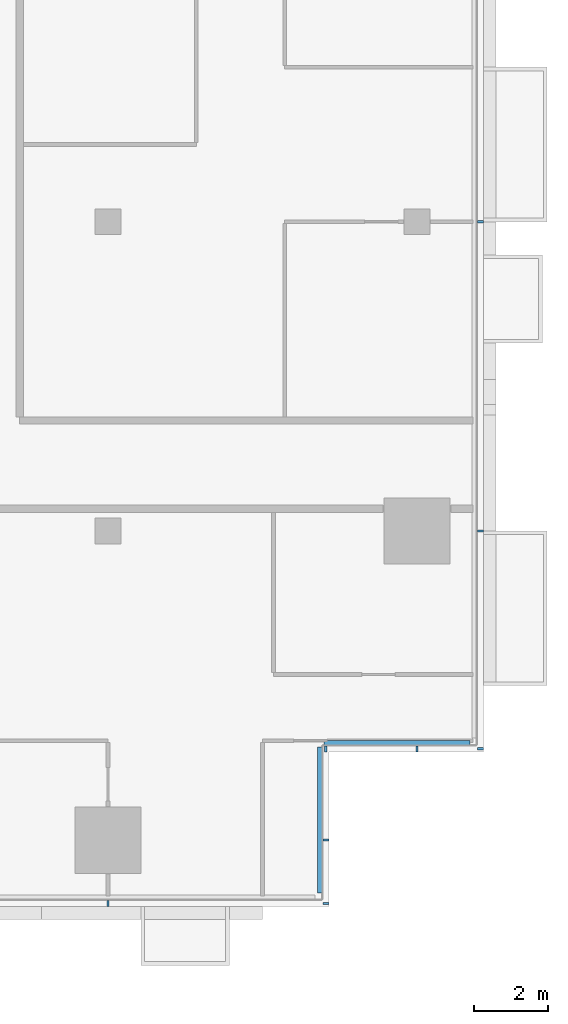
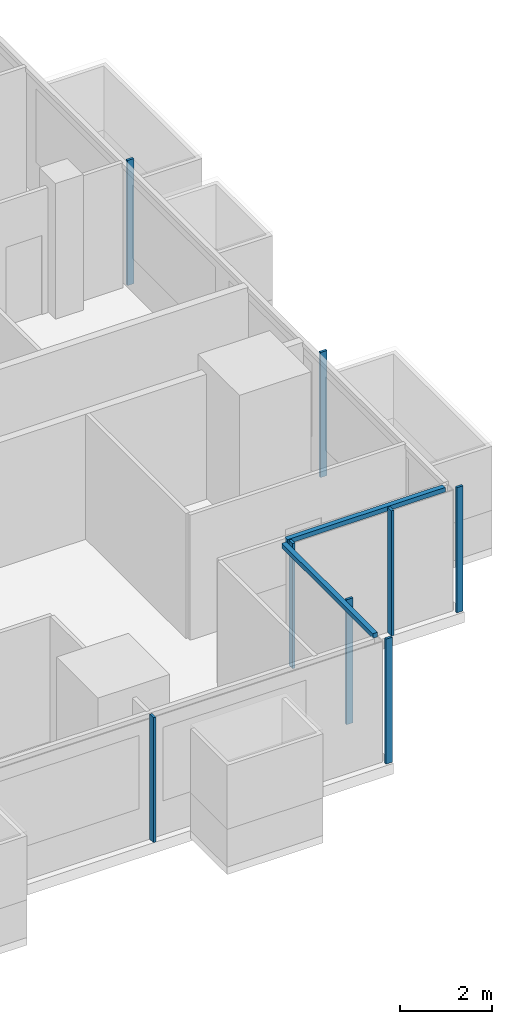
# One storey, part 11 of 31: 10 members, 4 elements without a shape of their own.
"""IFC4 building model written with IfcOpenShell, lengths in metres."""

import ifcopenshell
import ifcopenshell.guid

model = None  # the IFC model being written
_history = None  # IfcOwnerHistory: only IFC2X3 demands one
_inside = {}  # id of a spatial element -> (the spatial element, [elements in it])
_under = {}  # id of a project, library or spatial element -> (it, [spatial elements below it])
_declared = {}  # id of a project -> (the project, [libraries it declares])
_typed = {}  # id of a type object -> (the type object, [elements of that type])
_made_of = {}  # id of a material, layer set ... -> (it, [elements and type objects made of it])


def new_model(schema):
    """Start an empty IFC model of exactly this schema.

    Asked for "IFC4X3", IfcOpenShell would pick the latest addendum, in which some entities
    have other attributes; the version numbers below select the first issue.
    IFC2X3 requires an IfcOwnerHistory on every rooted entity: one is made here for all.
    """
    global model, _history
    if schema == "IFC4X3":
        model = ifcopenshell.file(schema_version=(4, 3, 0, 0))
    else:
        model = ifcopenshell.file(schema=schema)
    _inside.clear()
    _under.clear()
    _declared.clear()
    _typed.clear()
    _made_of.clear()
    _history = None
    if model.schema == "IFC2X3":
        org = make("IfcOrganization", Name="unknown")
        user = make(
            "IfcPersonAndOrganization",
            ThePerson=make("IfcPerson", FamilyName="unknown"),
            TheOrganization=org,
        )
        app = make(
            "IfcApplication",
            ApplicationDeveloper=org,
            Version="unknown",
            ApplicationFullName="unknown",
            ApplicationIdentifier="unknown",
        )
        _history = make(
            "IfcOwnerHistory",
            OwningUser=user,
            OwningApplication=app,
            ChangeAction="ADDED",
            CreationDate=0,
        )
    return model


def make(cls, **values):
    """One entity of the class cls with the attributes given. An attribute that is None is left unset."""
    return model.create_entity(
        cls, **{name: value for name, value in values.items() if value is not None}
    )


def rooted(cls, **values):
    """An entity with a GlobalId (a new one), such as an element, a storey or a relation."""
    return make(cls, GlobalId=ifcopenshell.guid.new(), OwnerHistory=_history, **values)


def si_unit(unit_type, name, prefix=None):
    """IfcSIUnit, for example si_unit("LENGTHUNIT", "METRE", prefix="MILLI")."""
    return make("IfcSIUnit", UnitType=unit_type, Prefix=prefix, Name=name)


def assignment(units):
    """IfcUnitAssignment: the units of a project."""
    return None if units is None else make("IfcUnitAssignment", Units=units)


def point(xyz):
    """IfcCartesianPoint."""
    return None if xyz is None else make("IfcCartesianPoint", Coordinates=xyz)


def direction(xyz):
    """IfcDirection."""
    return None if xyz is None else make("IfcDirection", DirectionRatios=xyz)


def frame(location, z_axis=None, x_axis=None):
    """IfcAxis2Placement3D, a coordinate frame: its origin and axes. An axis left out is left unset."""
    return make(
        "IfcAxis2Placement3D",
        Location=point(location),
        Axis=direction(z_axis),
        RefDirection=direction(x_axis),
    )


def frame_2d(location, x_axis=None):
    """IfcAxis2Placement2D, a coordinate frame in the plane: its origin and x axis."""
    return make(
        "IfcAxis2Placement2D", Location=point(location), RefDirection=direction(x_axis)
    )


def origin():
    """The frame at (0, 0, 0) with its axes left unset."""
    return frame((0.0, 0.0, 0.0))


def origin_2d():
    """The frame at (0, 0) in the plane with its x axis left unset."""
    return frame_2d((0.0, 0.0))


def place(relative_to, where):
    """IfcLocalPlacement: puts the frame where relative to a parent placement (None: the world)."""
    return make(
        "IfcLocalPlacement", PlacementRelTo=relative_to, RelativePlacement=where
    )


def context(
    kind, dimensions, precision=None, world=None, true_north=None, identifier=None
):
    """IfcGeometricRepresentationContext, for example the 3D "Model" context."""
    return make(
        "IfcGeometricRepresentationContext",
        ContextIdentifier=identifier,
        ContextType=kind,
        CoordinateSpaceDimension=dimensions,
        Precision=precision,
        WorldCoordinateSystem=world,
        TrueNorth=true_north,
    )


def subcontext(parent, identifier, kind, view, scale=None):
    """IfcGeometricRepresentationSubContext, for example "Body" below "Model"."""
    return make(
        "IfcGeometricRepresentationSubContext",
        ContextIdentifier=identifier,
        ContextType=kind,
        ParentContext=parent,
        TargetScale=scale,
        TargetView=view,
    )


def project(units=None, contexts=None):
    """IfcProject with its units and contexts."""
    return rooted(
        "IfcProject",
        Name="project",
        RepresentationContexts=contexts,
        UnitsInContext=assignment(units),
    )


def spatial(cls, under=None, at=None, **own):
    """A site, building, storey or space (cls), placed at a placement, below another one or the project."""
    s = rooted(cls, ObjectPlacement=at, **own)
    if under is not None:
        _under.setdefault(under.id(), (under, []))[1].append(s)
    return s


def profile(cls, at=None, kind="AREA", **sizes):
    """A parametric profile (cls). Its sizes go by their IFC names, for example OverallWidth=200.0."""
    return make(cls, ProfileType=kind, Position=at, **sizes)


def rectangle(**sizes):
    """IfcRectangleProfileDef."""
    return profile("IfcRectangleProfileDef", **sizes)


def extrude(swept, where, along, depth):
    """IfcExtrudedAreaSolid: the profile swept, set in the frame where, extruded along a direction by depth."""
    return make(
        "IfcExtrudedAreaSolid",
        SweptArea=swept,
        Position=where,
        ExtrudedDirection=direction(along),
        Depth=depth,
    )


def shape(context_of_items, identifier, shape_type, items):
    """IfcShapeRepresentation: the items that make up one representation, for example the "Body"."""
    return make(
        "IfcShapeRepresentation",
        ContextOfItems=context_of_items,
        RepresentationIdentifier=identifier,
        RepresentationType=shape_type,
        Items=items,
    )


def material(Name=None, Category=None):
    """IfcMaterial."""
    return make("IfcMaterial", Name=Name, Category=Category)


def material_profile(
    of_material, cross_section, Name=None, Category=None, Priority=None
):
    """IfcMaterialProfile: a cross section and its material."""
    return make(
        "IfcMaterialProfile",
        Name=Name,
        Material=of_material,
        Profile=cross_section,
        Priority=Priority,
        Category=Category,
    )


def profile_set(profiles, Name=None, composite=None):
    """IfcMaterialProfileSet."""
    return make(
        "IfcMaterialProfileSet",
        Name=Name,
        MaterialProfiles=profiles,
        CompositeProfile=composite,
    )


def made_of(thing, what):
    """Note that an element or type object is made of a material, layer set ...; save() writes the relation."""
    if what is not None:
        _made_of.setdefault(what.id(), (what, []))[1].append(thing)
    return thing


def type_object(cls, material=None, **own):
    """A type object (cls), such as IfcWallType, which elements share."""
    return made_of(rooted(cls, **own), material)


def element(
    cls,
    number,
    at=None,
    inside=None,
    cuts=None,
    type_object=None,
    material=None,
    context=None,
    identifier="Body",
    shape_type=None,
    held_by="IfcProductDefinitionShape",
    body=None,
    shapes=None,
    **own,
):
    """One element of the class cls, such as IfcWall. Its Tag is "e" and its number.

    at: its placement. inside: the storey or other place that contains it. cuts: it is an
    opening in that element (IfcRelVoidsElement). A single representation is given by context,
    identifier, shape_type and body (its items); several are given by shapes. held_by: the class
    of the entity that holds the representations. save() writes the other relations.
    """
    e = rooted(cls, Tag="e%d" % number, ObjectPlacement=at, **own)
    if body is not None:
        shapes = [shape(context, identifier, shape_type, body)]
    if shapes is not None:
        e.Representation = make(held_by, Representations=shapes)
    if inside is not None:
        _inside.setdefault(inside.id(), (inside, []))[1].append(e)
    if cuts is not None:
        rooted(
            "IfcRelVoidsElement", RelatingBuildingElement=cuts, RelatedOpeningElement=e
        )
    if type_object is not None:
        _typed.setdefault(type_object.id(), (type_object, []))[1].append(e)
    return made_of(e, material)


def aggregate(whole, parts):
    """IfcRelAggregates: a whole, such as a stair, and the parts it consists of."""
    return rooted("IfcRelAggregates", RelatingObject=whole, RelatedObjects=parts)


def save(model, path):
    """Write the relations noted so far, then the file.

    IfcRelAggregates (storeys below a building ...), IfcRelContainedInSpatialStructure (elements
    in a storey), IfcRelDefinesByType, IfcRelAssociatesMaterial and IfcRelDeclares: one each for
    every whole, place, type object, material and project.
    """
    for whole, parts in _under.values():
        aggregate(whole, parts)
    for where, things in _inside.values():
        rooted(
            "IfcRelContainedInSpatialStructure",
            RelatedElements=things,
            RelatingStructure=where,
        )
    for kind, things in _typed.values():
        rooted("IfcRelDefinesByType", RelatedObjects=things, RelatingType=kind)
    for what, things in _made_of.values():
        rooted("IfcRelAssociatesMaterial", RelatedObjects=things, RelatingMaterial=what)
    for by, libraries in _declared.values():
        rooted("IfcRelDeclares", RelatingContext=by, RelatedDefinitions=libraries)
    model.write(path)


model = new_model("IFC4")

# Units and contexts
model_context = context("Model", 3, precision=1e-05, world=origin(), true_north=direction((0.0, 1.0)))
body_context = subcontext(model_context, "Body", "Model", "MODEL_VIEW")
ifc_project = project(units=[si_unit("LENGTHUNIT", "METRE"), si_unit("AREAUNIT", "SQUARE_METRE"), si_unit("VOLUMEUNIT", "CUBIC_METRE"), si_unit("PLANEANGLEUNIT", "RADIAN"), si_unit("MASSUNIT", "GRAM", prefix="KILO")], contexts=[model_context])

# Site, building, storey
site_placement = place(None, origin())
site = spatial("IfcSite", under=ifc_project, at=site_placement, CompositionType="ELEMENT")
building_placement = place(site_placement, origin())
building = spatial("IfcBuilding", under=site, at=building_placement, Name="Saffron Gate Tower", CompositionType="ELEMENT")
storey_placement = place(building_placement, frame((0.0, 0.0, 147.449951171875)))
storey = spatial("IfcBuildingStorey", under=building, at=storey_placement, Name="L35", CompositionType="ELEMENT", Elevation=147.449951171875)

# Curtain wall, member
ifc_material = material(Name="Aluminium, bronze anodised", Category="aluminium")
curtain_wall_type_1 = type_object("IfcCurtainWallType", Name="CWS1 curtain wall front facade", PredefinedType="NOTDEFINED", material=ifc_material)
curtain_wall_1_placement = place(storey_placement, origin())
curtain_wall_1 = element("IfcCurtainWall", 1, at=curtain_wall_1_placement, inside=storey, type_object=curtain_wall_type_1, Name="CWS1 run 1", PredefinedType="NOTDEFINED")
ifc_material_profile_1 = material_profile(ifc_material, rectangle(XDim=0.159912109375, YDim=0.06005859375, at=origin_2d()))
ifc_profile_set_1 = profile_set([ifc_material_profile_1], Name="Aluminium, bronze anodised")
member_type_1 = type_object("IfcMemberType", Name="CWS1 mullion 60x160", PredefinedType="MULLION", material=ifc_profile_set_1)
member_1_placement = place(storey_placement, frame((117.0, 30.080078125, 0.0), z_axis=(0.0, 0.0, 1.0), x_axis=(0.0, 1.0, 0.0)))
member_1 = element("IfcMember", 2, at=member_1_placement, type_object=member_type_1, Name="CWS1 mullion 9", PredefinedType="MULLION", context=body_context, shape_type="SweptSolid", body=[
    extrude(rectangle(XDim=0.159912109375, YDim=0.06005859375, at=origin_2d()), origin(), (0.0, 0.0, 1.0), 3.320068359375),
])
aggregate(curtain_wall_1, [member_1])

# Curtain wall, members
curtain_wall_type_2 = type_object("IfcCurtainWallType", Name="CWS2 curtain wall side facades", PredefinedType="NOTDEFINED", material=ifc_material)
curtain_wall_2_placement = place(storey_placement, origin())
curtain_wall_2 = element("IfcCurtainWall", 3, at=curtain_wall_2_placement, inside=storey, type_object=curtain_wall_type_2, Name="CWS2 run 4", PredefinedType="NOTDEFINED")
ifc_material_profile_2 = material_profile(ifc_material, rectangle(XDim=0.159912109375, YDim=0.06005859375, at=origin_2d()))
ifc_profile_set_2 = profile_set([ifc_material_profile_2], Name="Aluminium, bronze anodised")
member_type_2 = type_object("IfcMemberType", Name="CWS2 mullion 60x160", PredefinedType="MULLION", material=ifc_profile_set_2)
member_2_placement = place(storey_placement, frame((127.1201171875, 34.280029296875, 0.0), z_axis=(0.0, 0.0, 1.0), x_axis=(-1.0, 0.0, 0.0)))
member_2 = element("IfcMember", 4, at=member_2_placement, type_object=member_type_2, Name="CWS2 mullion 1", PredefinedType="MULLION", context=body_context, shape_type="SweptSolid", body=[
    extrude(rectangle(XDim=0.159912109375, YDim=0.06005859375, at=origin_2d()), origin(), (0.0, 0.0, 1.0), 3.320068359375),
])
member_3_placement = place(storey_placement, frame((127.1201171875, 40.199951171875, 0.0), z_axis=(0.0, 0.0, 1.0), x_axis=(-1.0, 0.0, 0.0)))
member_3 = element("IfcMember", 5, at=member_3_placement, type_object=member_type_2, Name="CWS2 mullion 2", PredefinedType="MULLION", context=body_context, shape_type="SweptSolid", body=[
    extrude(rectangle(XDim=0.159912109375, YDim=0.06005859375, at=origin_2d()), origin(), (0.0, 0.0, 1.0), 3.320068359375),
])
member_4_placement = place(storey_placement, frame((127.1201171875, 48.60009765625, 0.0), z_axis=(0.0, 0.0, 1.0), x_axis=(-1.0, 0.0, 0.0)))
member_4 = element("IfcMember", 6, at=member_4_placement, type_object=member_type_2, Name="CWS2 mullion 3", PredefinedType="MULLION", context=body_context, shape_type="SweptSolid", body=[
    extrude(rectangle(XDim=0.159912109375, YDim=0.06005859375, at=origin_2d()), origin(), (0.0, 0.0, 1.0), 3.320068359375),
])
aggregate(curtain_wall_2, [member_2, member_3, member_4])

# Curtain wall, member
curtain_wall_type_3 = type_object("IfcCurtainWallType", Name="CWS4 curtain wall corner returns", PredefinedType="NOTDEFINED", material=ifc_material)
curtain_wall_3_placement = place(storey_placement, origin())
curtain_wall_3 = element("IfcCurtainWall", 7, at=curtain_wall_3_placement, inside=storey, type_object=curtain_wall_type_3, Name="CWS4 run 2", PredefinedType="NOTDEFINED")
ifc_material_profile_3 = material_profile(ifc_material, rectangle(XDim=0.1201171875, YDim=0.1201171875, at=origin_2d()))
ifc_profile_set_3 = profile_set([ifc_material_profile_3], Name="Aluminium, bronze anodised")
member_type_3 = type_object("IfcMemberType", Name="CWS4 head transom", PredefinedType="USERDEFINED", material=ifc_profile_set_3)
member_5_placement = place(storey_placement, frame((122.751953125, 30.367919921875, 3.260009765625), z_axis=(0.0, 1.0, 0.0), x_axis=(-1.0, 0.0, 0.0)))
member_5 = element("IfcMember", 8, at=member_5_placement, type_object=member_type_3, Name="CWS4 head transom", ObjectType="TRANSOM", PredefinedType="USERDEFINED", context=body_context, shape_type="SweptSolid", body=[
    extrude(rectangle(XDim=0.1201171875, YDim=0.1201171875, at=origin_2d()), origin(), (0.0, 0.0, 1.0), 3.9599609375),
])

curtain_wall_4_placement = place(storey_placement, origin())
curtain_wall_4 = element("IfcCurtainWall", 9, at=curtain_wall_4_placement, inside=storey, type_object=curtain_wall_type_3, Name="CWS4 run 3", PredefinedType="NOTDEFINED")
member_6_placement = place(storey_placement, frame((122.8720703125, 34.447998046875, 3.260009765625), z_axis=(1.0, 0.0, 0.0), x_axis=(0.0, 1.0, 0.0)))
member_6 = element("IfcMember", 10, at=member_6_placement, type_object=member_type_3, Name="CWS4 head transom", ObjectType="TRANSOM", PredefinedType="USERDEFINED", context=body_context, shape_type="SweptSolid", body=[
    extrude(rectangle(XDim=0.1201171875, YDim=0.1201171875, at=origin_2d()), origin(), (0.0, 0.0, 1.0), 3.9599609375),
])

# Member
ifc_material_profile_4 = material_profile(ifc_material, rectangle(XDim=0.159912109375, YDim=0.06005859375, at=origin_2d()))
ifc_profile_set_4 = profile_set([ifc_material_profile_4], Name="Aluminium, bronze anodised")
member_type_4 = type_object("IfcMemberType", Name="CWS4 mullion 60x160", PredefinedType="MULLION", material=ifc_profile_set_4)
member_7_placement = place(storey_placement, frame((122.919921875, 30.080078125, 0.0), z_axis=(0.0, 0.0, 1.0), x_axis=(-1.0, 0.0, 0.0)))
member_7 = element("IfcMember", 11, at=member_7_placement, type_object=member_type_4, Name="CWS4 mullion 1", PredefinedType="MULLION", context=body_context, shape_type="SweptSolid", body=[
    extrude(rectangle(XDim=0.159912109375, YDim=0.06005859375, at=origin_2d()), origin(), (0.0, 0.0, 1.0), 3.320068359375),
])

member_8_placement = place(storey_placement, frame((122.919921875, 31.800048828125, 0.0), z_axis=(0.0, 0.0, 1.0), x_axis=(-1.0, 0.0, 0.0)))
member_8 = element("IfcMember", 12, at=member_8_placement, type_object=member_type_4, Name="CWS4 mullion 2", PredefinedType="MULLION", context=body_context, shape_type="SweptSolid", body=[
    extrude(rectangle(XDim=0.159912109375, YDim=0.06005859375, at=origin_2d()), origin(), (0.0, 0.0, 1.0), 3.320068359375),
])

aggregate(curtain_wall_3, [member_7, member_8, member_5])

member_9_placement = place(storey_placement, frame((122.919921875, 34.280029296875, 0.0), z_axis=(0.0, 0.0, 1.0), x_axis=(0.0, 1.0, 0.0)))
member_9 = element("IfcMember", 13, at=member_9_placement, type_object=member_type_4, Name="CWS4 mullion 1", PredefinedType="MULLION", context=body_context, shape_type="SweptSolid", body=[
    extrude(rectangle(XDim=0.159912109375, YDim=0.06005859375, at=origin_2d()), origin(), (0.0, 0.0, 1.0), 3.320068359375),
])

member_10_placement = place(storey_placement, frame((125.39990234375, 34.280029296875, 0.0), z_axis=(0.0, 0.0, 1.0), x_axis=(0.0, 1.0, 0.0)))
member_10 = element("IfcMember", 14, at=member_10_placement, type_object=member_type_4, Name="CWS4 mullion 2", PredefinedType="MULLION", context=body_context, shape_type="SweptSolid", body=[
    extrude(rectangle(XDim=0.159912109375, YDim=0.06005859375, at=origin_2d()), origin(), (0.0, 0.0, 1.0), 3.320068359375),
])

aggregate(curtain_wall_4, [member_9, member_10, member_6])

save(model, "model.ifc")
